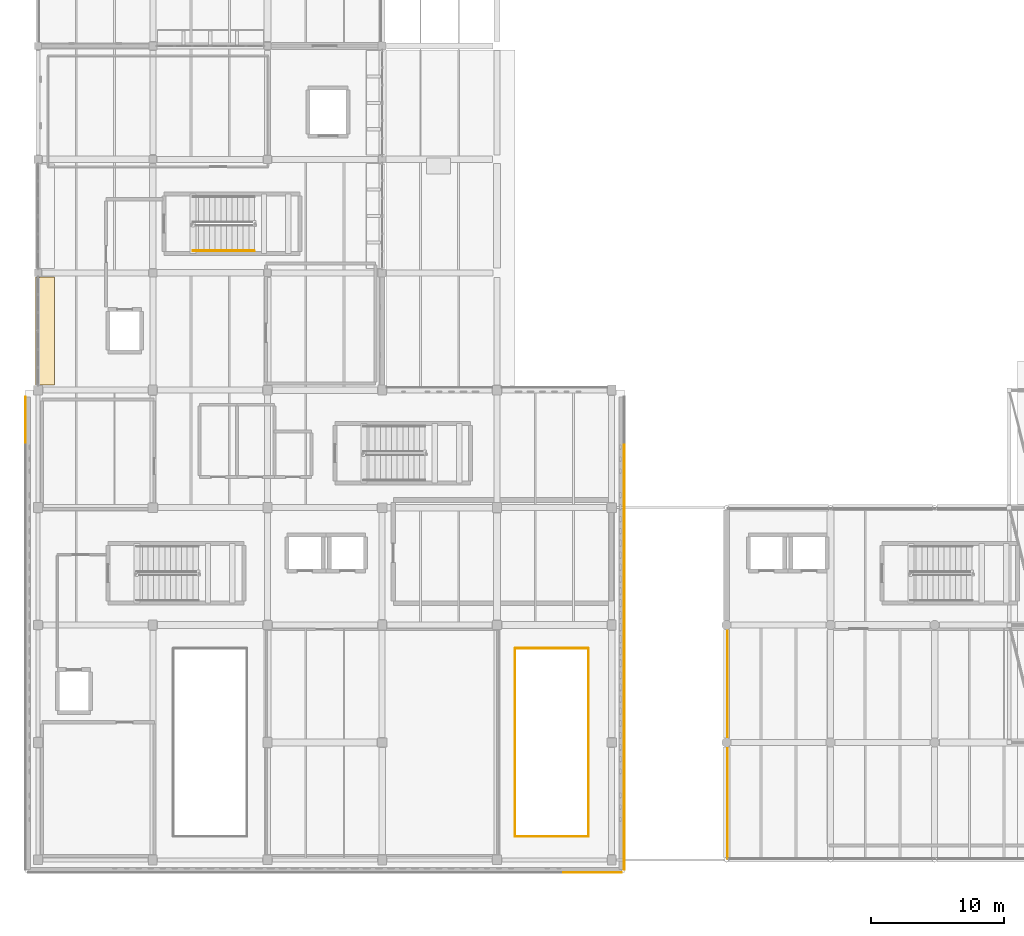
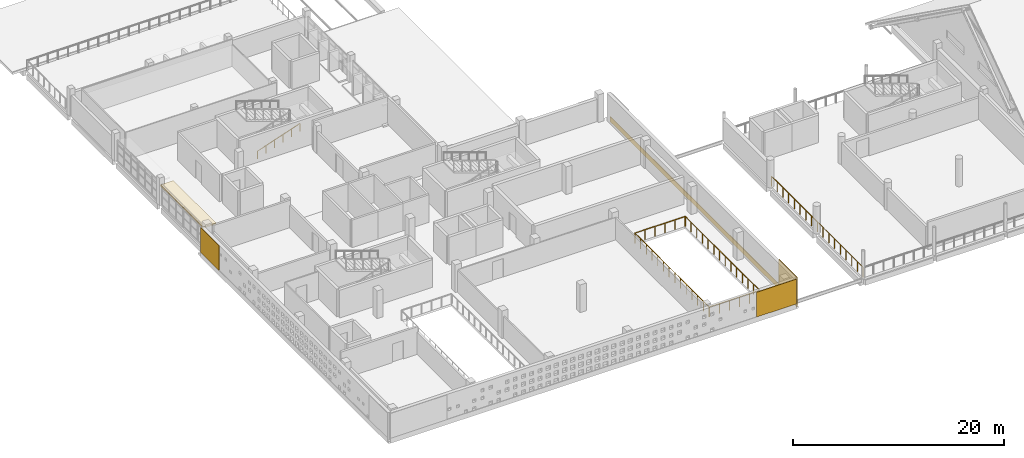
# One storey, part 49 of 55: 6 railings, 5 coverings.
"""IFC4 building model written with IfcOpenShell, lengths in metres."""

from ifc_helpers import new_model, si_unit, direction, frame, origin, origin_2d, place, context, subcontext, project, spatial, polyline, rectangle, circle, outline, extrude, material, layer, layer_set, type_object, element, save


model = new_model("IFC4")

# Units and contexts
model_context = context("Model", 3, precision=1e-05, world=origin(), true_north=direction((0.0, 1.0)))
body_context = subcontext(model_context, "Body", "Model", "MODEL_VIEW")
ifc_project = project(units=[si_unit("LENGTHUNIT", "METRE"), si_unit("AREAUNIT", "SQUARE_METRE"), si_unit("VOLUMEUNIT", "CUBIC_METRE"), si_unit("PLANEANGLEUNIT", "RADIAN"), si_unit("MASSUNIT", "GRAM", prefix="KILO")], contexts=[model_context])

# Site, building, storey
site_placement = place(None, origin())
site = spatial("IfcSite", under=ifc_project, at=site_placement, CompositionType="ELEMENT")
building_placement = place(site_placement, origin())
building = spatial("IfcBuilding", under=site, at=building_placement, Name="Varnakota Cinema and Media Centre", CompositionType="ELEMENT")
storey_placement = place(building_placement, frame((0.0, 0.0, 15.60009765625)))
storey = spatial("IfcBuildingStorey", under=building, at=storey_placement, Name="L04", CompositionType="ELEMENT", Elevation=15.60009765625)

# Coverings
ifc_material_1 = material(Name="Precast concrete M40", Category="concrete")
ifc_layer_1 = layer(ifc_material_1, 0.159912109375)
ifc_layer_set_1 = layer_set([ifc_layer_1], Name="Precast concrete M40")
covering_type_1 = type_object("IfcCoveringType", Name="COV-CHAJJA-160", PredefinedType="CLADDING", material=ifc_layer_set_1)
covering_1_placement = place(storey_placement, frame((0.0, 0.0, 2.27490234375)))
element("IfcCovering", 1, at=covering_1_placement, inside=storey, type_object=covering_type_1, Name="L04 Brutalist chajja overhang V5-W-3", PredefinedType="CLADDING", context=body_context, shape_type="SweptSolid", body=[
    extrude(outline(polyline([(-0.179931640625, 43.68505859375), (-0.179931640625, 35.590087890625), (1.219970703125, 35.590087890625), (1.219970703125, 43.68505859375), (-0.179931640625, 43.68505859375)])), origin(), (0.0, 0.0, 1.0), 0.159912109375),
])
ifc_material_2 = material(Name="Pale Tandur limestone cladding", Category="masonry")
ifc_layer_2 = layer(ifc_material_2, 0.06005859375)
ifc_layer_set_2 = layer_set([ifc_layer_2], Name="Pale Tandur limestone cladding")
covering_type_2 = type_object("IfcCoveringType", Name="COV-TANDUR-ASHLAR-60", PredefinedType="CLADDING", material=ifc_layer_set_2)
covering_2_placement = place(storey_placement, frame((41.554931640625, -0.945068359375, 0.329833984375), z_axis=(0.0, 0.0, 1.0), x_axis=(-1.0, 0.0, 0.0)))
element("IfcCovering", 2, at=covering_2_placement, inside=storey, type_object=covering_type_2, Name="L04 V4 pale Tandur stone left corner ashlar V4-S", PredefinedType="CLADDING", context=body_context, shape_type="SweptSolid", body=[
    extrude(rectangle(XDim=4.3701171875, YDim=0.06005859375, at=origin_2d()), origin(), (0.0, 0.0, 1.0), 2.8701171875),
])
covering_3_placement = place(storey_placement, frame((-0.945068359375, 32.97509765625, 0.329833984375), z_axis=(0.0, 0.0, 1.0), x_axis=(0.0, 1.0, 0.0)))
element("IfcCovering", 3, at=covering_3_placement, inside=storey, type_object=covering_type_2, Name="L04 V4 pale Tandur stone right corner ashlar V4-W", PredefinedType="CLADDING", context=body_context, shape_type="SweptSolid", body=[
    extrude(rectangle(XDim=3.449951171875, YDim=0.06005859375, at=origin_2d()), origin(), (0.0, 0.0, 1.0), 2.8701171875),
])
covering_4_placement = place(storey_placement, frame((43.945068359375, 16.97998046875, -0.250244140625), z_axis=(0.0, 0.0, 1.0), x_axis=(0.0, -1.0, 0.0)))
element("IfcCovering", 4, at=covering_4_placement, inside=storey, type_object=covering_type_2, Name="L04 V4 pale Tandur stone spandrel ashlar V4-E", PredefinedType="CLADDING", context=body_context, shape_type="SweptSolid", body=[
    extrude(rectangle(XDim=35.43994140625, YDim=0.06005859375, at=origin_2d()), origin(), (0.0, 0.0, 1.0), 0.580078125),
])
covering_5_placement = place(storey_placement, frame((43.945068359375, 0.985107421875, 0.329833984375), z_axis=(0.0, 0.0, 1.0), x_axis=(0.0, -1.0, 0.0)))
element("IfcCovering", 5, at=covering_5_placement, inside=storey, type_object=covering_type_2, Name="L04 V4 pale Tandur stone right corner ashlar V4-E", PredefinedType="CLADDING", context=body_context, shape_type="SweptSolid", body=[
    extrude(rectangle(XDim=3.449951171875, YDim=0.06005859375, at=origin_2d()), origin(), (0.0, 0.0, 1.0), 2.8701171875),
])

# Railings
ifc_material_3 = material(Name="Anodised golden-bronze steel Grade 350 (E350)", Category="steel")
ifc_layer_3 = layer(ifc_material_3, 0.050048828125)
ifc_layer_set_3 = layer_set([ifc_layer_3], Name="Anodised golden-bronze steel Grade 350 (E350)")
railing_type_1 = type_object("IfcRailingType", Name="RAIL-GUARD-1150", PredefinedType="BALUSTRADE", material=ifc_layer_set_3)
railing_1_placement = place(storey_placement, frame((51.679931640625, 0.110107421875, 0.0)))
element("IfcRailing", 6, at=railing_1_placement, inside=storey, type_object=railing_type_1, Name="L04 guard balustrade GRD-V6GAL-W-L04-1", PredefinedType="BALUSTRADE", context=body_context, shape_type="SweptSolid", body=[
    extrude(circle(Radius=0.02392578125, at=origin_2d()), frame((0.0, 0.0, 1.1259765625), z_axis=(0.0, 1.0, 0.0), x_axis=(-1.0, 0.0, 0.0)), (0.0, 0.0, 1.0), 17.409912109375),
    extrude(circle(Radius=0.02099609375, at=origin_2d()), origin(), (0.0, 0.0, 1.0), 1.101806640625),
    extrude(circle(Radius=0.02099609375, at=origin_2d()), frame((0.0, 1.088134765625, 0.0)), (0.0, 0.0, 1.0), 1.101806640625),
    extrude(circle(Radius=0.02099609375, at=origin_2d()), frame((0.0, 2.17626953125, 0.0)), (0.0, 0.0, 1.0), 1.101806640625),
    extrude(circle(Radius=0.02099609375, at=origin_2d()), frame((0.0, 3.264404296875, 0.0)), (0.0, 0.0, 1.0), 1.101806640625),
    extrude(circle(Radius=0.02099609375, at=origin_2d()), frame((0.0, 4.3525390625, 0.0)), (0.0, 0.0, 1.0), 1.101806640625),
    extrude(circle(Radius=0.02099609375, at=origin_2d()), frame((0.0, 5.440673828125, 0.0)), (0.0, 0.0, 1.0), 1.101806640625),
    extrude(circle(Radius=0.02099609375, at=origin_2d()), frame((0.0, 6.52880859375, 0.0)), (0.0, 0.0, 1.0), 1.101806640625),
    extrude(circle(Radius=0.02099609375, at=origin_2d()), frame((0.0, 7.616943359375, 0.0)), (0.0, 0.0, 1.0), 1.101806640625),
    extrude(circle(Radius=0.02099609375, at=origin_2d()), frame((0.0, 8.705078125, 0.0)), (0.0, 0.0, 1.0), 1.101806640625),
    extrude(circle(Radius=0.02099609375, at=origin_2d()), frame((0.0, 9.79296875, 0.0)), (0.0, 0.0, 1.0), 1.101806640625),
    extrude(circle(Radius=0.02099609375, at=origin_2d()), frame((0.0, 10.881103515625, 0.0)), (0.0, 0.0, 1.0), 1.101806640625),
    extrude(circle(Radius=0.02099609375, at=origin_2d()), frame((0.0, 11.96923828125, 0.0)), (0.0, 0.0, 1.0), 1.101806640625),
    extrude(circle(Radius=0.02099609375, at=origin_2d()), frame((0.0, 13.057373046875, 0.0)), (0.0, 0.0, 1.0), 1.101806640625),
    extrude(circle(Radius=0.02099609375, at=origin_2d()), frame((0.0, 14.1455078125, 0.0)), (0.0, 0.0, 1.0), 1.101806640625),
    extrude(circle(Radius=0.02099609375, at=origin_2d()), frame((0.0, 15.233642578125, 0.0)), (0.0, 0.0, 1.0), 1.101806640625),
    extrude(circle(Radius=0.02099609375, at=origin_2d()), frame((0.0, 16.32177734375, 0.0)), (0.0, 0.0, 1.0), 1.101806640625),
    extrude(circle(Radius=0.02099609375, at=origin_2d()), frame((0.0, 17.409912109375, 0.0)), (0.0, 0.0, 1.0), 1.101806640625),
])
railing_2_placement = place(storey_placement, frame((35.77001953125, 1.739990234375, 0.0)))
element("IfcRailing", 7, at=railing_2_placement, inside=storey, type_object=railing_type_1, Name="L04 guard balustrade GRD-VOID-L04-2-1", PredefinedType="BALUSTRADE", context=body_context, shape_type="SweptSolid", body=[
    extrude(circle(Radius=0.02392578125, at=origin_2d()), frame((0.0, 0.0, 1.1259765625), z_axis=(1.0, 0.0, 0.0), x_axis=(0.0, 1.0, 0.0)), (0.0, 0.0, 1.0), 5.4599609375),
    extrude(circle(Radius=0.02099609375, at=origin_2d()), origin(), (0.0, 0.0, 1.0), 1.101806640625),
    extrude(circle(Radius=0.02099609375, at=origin_2d()), frame((1.092041015625, 0.0, 0.0)), (0.0, 0.0, 1.0), 1.101806640625),
    extrude(circle(Radius=0.02099609375, at=origin_2d()), frame((2.18408203125, 0.0, 0.0)), (0.0, 0.0, 1.0), 1.101806640625),
    extrude(circle(Radius=0.02099609375, at=origin_2d()), frame((3.27587890625, 0.0, 0.0)), (0.0, 0.0, 1.0), 1.101806640625),
    extrude(circle(Radius=0.02099609375, at=origin_2d()), frame((4.367919921875, 0.0, 0.0)), (0.0, 0.0, 1.0), 1.101806640625),
    extrude(circle(Radius=0.02099609375, at=origin_2d()), frame((5.4599609375, 0.0, 0.0)), (0.0, 0.0, 1.0), 1.101806640625),
])
railing_3_placement = place(storey_placement, frame((41.260009765625, 1.77001953125, 0.0)))
element("IfcRailing", 8, at=railing_3_placement, inside=storey, type_object=railing_type_1, Name="L04 guard balustrade GRD-VOID-L04-2-2", PredefinedType="BALUSTRADE", context=body_context, shape_type="SweptSolid", body=[
    extrude(circle(Radius=0.02392578125, at=origin_2d()), frame((0.0, 0.0, 1.1259765625), z_axis=(0.0, 1.0, 0.0), x_axis=(-1.0, 0.0, 0.0)), (0.0, 0.0, 1.0), 14.06005859375),
    extrude(circle(Radius=0.02099609375, at=origin_2d()), origin(), (0.0, 0.0, 1.0), 1.101806640625),
    extrude(circle(Radius=0.02099609375, at=origin_2d()), frame((0.0, 1.08154296875, 0.0)), (0.0, 0.0, 1.0), 1.101806640625),
    extrude(circle(Radius=0.02099609375, at=origin_2d()), frame((0.0, 2.1630859375, 0.0)), (0.0, 0.0, 1.0), 1.101806640625),
    extrude(circle(Radius=0.02099609375, at=origin_2d()), frame((0.0, 3.24462890625, 0.0)), (0.0, 0.0, 1.0), 1.101806640625),
    extrude(circle(Radius=0.02099609375, at=origin_2d()), frame((0.0, 4.326171875, 0.0)), (0.0, 0.0, 1.0), 1.101806640625),
    extrude(circle(Radius=0.02099609375, at=origin_2d()), frame((0.0, 5.40771484375, 0.0)), (0.0, 0.0, 1.0), 1.101806640625),
    extrude(circle(Radius=0.02099609375, at=origin_2d()), frame((0.0, 6.4892578125, 0.0)), (0.0, 0.0, 1.0), 1.101806640625),
    extrude(circle(Radius=0.02099609375, at=origin_2d()), frame((0.0, 7.57080078125, 0.0)), (0.0, 0.0, 1.0), 1.101806640625),
    extrude(circle(Radius=0.02099609375, at=origin_2d()), frame((0.0, 8.65234375, 0.0)), (0.0, 0.0, 1.0), 1.101806640625),
    extrude(circle(Radius=0.02099609375, at=origin_2d()), frame((0.0, 9.73388671875, 0.0)), (0.0, 0.0, 1.0), 1.101806640625),
    extrude(circle(Radius=0.02099609375, at=origin_2d()), frame((0.0, 10.8154296875, 0.0)), (0.0, 0.0, 1.0), 1.101806640625),
    extrude(circle(Radius=0.02099609375, at=origin_2d()), frame((0.0, 11.89697265625, 0.0)), (0.0, 0.0, 1.0), 1.101806640625),
    extrude(circle(Radius=0.02099609375, at=origin_2d()), frame((0.0, 12.978515625, 0.0)), (0.0, 0.0, 1.0), 1.101806640625),
    extrude(circle(Radius=0.02099609375, at=origin_2d()), frame((0.0, 14.06005859375, 0.0)), (0.0, 0.0, 1.0), 1.101806640625),
])
railing_4_placement = place(storey_placement, frame((41.22998046875, 15.860107421875, 0.0)))
element("IfcRailing", 9, at=railing_4_placement, inside=storey, type_object=railing_type_1, Name="L04 guard balustrade GRD-VOID-L04-2-3", PredefinedType="BALUSTRADE", context=body_context, shape_type="SweptSolid", body=[
    extrude(circle(Radius=0.02392578125, at=origin_2d()), frame((0.0, 0.0, 1.1259765625), z_axis=(-1.0, 0.0, 0.0), x_axis=(0.0, -1.0, 0.0)), (0.0, 0.0, 1.0), 5.4599609375),
    extrude(circle(Radius=0.02099609375, at=origin_2d()), origin(), (0.0, 0.0, 1.0), 1.101806640625),
    extrude(circle(Radius=0.02099609375, at=origin_2d()), frame((-1.092041015625, 0.0, 0.0)), (0.0, 0.0, 1.0), 1.101806640625),
    extrude(circle(Radius=0.02099609375, at=origin_2d()), frame((-2.18408203125, 0.0, 0.0)), (0.0, 0.0, 1.0), 1.101806640625),
    extrude(circle(Radius=0.02099609375, at=origin_2d()), frame((-3.27587890625, 0.0, 0.0)), (0.0, 0.0, 1.0), 1.101806640625),
    extrude(circle(Radius=0.02099609375, at=origin_2d()), frame((-4.367919921875, 0.0, 0.0)), (0.0, 0.0, 1.0), 1.101806640625),
    extrude(circle(Radius=0.02099609375, at=origin_2d()), frame((-5.4599609375, 0.0, 0.0)), (0.0, 0.0, 1.0), 1.101806640625),
])
railing_5_placement = place(storey_placement, frame((35.739990234375, 15.830078125, 0.0)))
element("IfcRailing", 10, at=railing_5_placement, inside=storey, type_object=railing_type_1, Name="L04 guard balustrade GRD-VOID-L04-2-4", PredefinedType="BALUSTRADE", context=body_context, shape_type="SweptSolid", body=[
    extrude(circle(Radius=0.02392578125, at=origin_2d()), frame((0.0, 0.0, 1.1259765625), z_axis=(0.0, -1.0, 0.0), x_axis=(1.0, 0.0, 0.0)), (0.0, 0.0, 1.0), 14.06005859375),
    extrude(circle(Radius=0.02099609375, at=origin_2d()), origin(), (0.0, 0.0, 1.0), 1.101806640625),
    extrude(circle(Radius=0.02099609375, at=origin_2d()), frame((0.0, -1.08154296875, 0.0)), (0.0, 0.0, 1.0), 1.101806640625),
    extrude(circle(Radius=0.02099609375, at=origin_2d()), frame((0.0, -2.1630859375, 0.0)), (0.0, 0.0, 1.0), 1.101806640625),
    extrude(circle(Radius=0.02099609375, at=origin_2d()), frame((0.0, -3.24462890625, 0.0)), (0.0, 0.0, 1.0), 1.101806640625),
    extrude(circle(Radius=0.02099609375, at=origin_2d()), frame((0.0, -4.326171875, 0.0)), (0.0, 0.0, 1.0), 1.101806640625),
    extrude(circle(Radius=0.02099609375, at=origin_2d()), frame((0.0, -5.40771484375, 0.0)), (0.0, 0.0, 1.0), 1.101806640625),
    extrude(circle(Radius=0.02099609375, at=origin_2d()), frame((0.0, -6.4892578125, 0.0)), (0.0, 0.0, 1.0), 1.101806640625),
    extrude(circle(Radius=0.02099609375, at=origin_2d()), frame((0.0, -7.57080078125, 0.0)), (0.0, 0.0, 1.0), 1.101806640625),
    extrude(circle(Radius=0.02099609375, at=origin_2d()), frame((0.0, -8.65234375, 0.0)), (0.0, 0.0, 1.0), 1.101806640625),
    extrude(circle(Radius=0.02099609375, at=origin_2d()), frame((0.0, -9.73388671875, 0.0)), (0.0, 0.0, 1.0), 1.101806640625),
    extrude(circle(Radius=0.02099609375, at=origin_2d()), frame((0.0, -10.8154296875, 0.0)), (0.0, 0.0, 1.0), 1.101806640625),
    extrude(circle(Radius=0.02099609375, at=origin_2d()), frame((0.0, -11.89697265625, 0.0)), (0.0, 0.0, 1.0), 1.101806640625),
    extrude(circle(Radius=0.02099609375, at=origin_2d()), frame((0.0, -12.978515625, 0.0)), (0.0, 0.0, 1.0), 1.101806640625),
    extrude(circle(Radius=0.02099609375, at=origin_2d()), frame((0.0, -14.06005859375, 0.0)), (0.0, 0.0, 1.0), 1.101806640625),
])
ifc_material_4 = material(Name="Structural steel Grade 350 (E350)", Category="steel")
ifc_layer_4 = layer(ifc_material_4, 0.048095703125)
ifc_layer_set_4 = layer_set([ifc_layer_4], Name="Structural steel Grade 350 (E350)")
railing_type_2 = type_object("IfcRailingType", Name="RAIL-STAIR-HAND-900", PredefinedType="HANDRAIL", material=ifc_layer_set_4)
railing_6_placement = place(storey_placement, frame((11.60009765625, 45.64990234375, 0.1435546875)))
element("IfcRailing", 11, at=railing_6_placement, inside=storey, type_object=railing_type_2, Name="L04 ST-03 stair handrail 1", PredefinedType="HANDRAIL", context=body_context, shape_type="SweptSolid", body=[
    extrude(circle(Radius=0.02392578125, at=origin_2d()), frame((0.0, 0.0, 0.8759765625), z_axis=(0.946112797211, 0.0, 0.323837266159), x_axis=(0.0, 1.0, 0.0)), (0.0, 0.0, 1.0), 4.883056640625),
    extrude(circle(Radius=0.02099609375, at=origin_2d()), origin(), (0.0, 0.0, 1.0), 0.851806640625),
    extrude(circle(Radius=0.02099609375, at=origin_2d()), frame((0.924072265625, 0.0, 0.316162109375)), (0.0, 0.0, 1.0), 0.851806640625),
    extrude(circle(Radius=0.02099609375, at=origin_2d()), frame((1.847900390625, 0.0, 0.632568359375)), (0.0, 0.0, 1.0), 0.851806640625),
    extrude(circle(Radius=0.02099609375, at=origin_2d()), frame((2.77197265625, 0.0, 0.94873046875)), (0.0, 0.0, 1.0), 0.851806640625),
    extrude(circle(Radius=0.02099609375, at=origin_2d()), frame((3.69580078125, 0.0, 1.26513671875)), (0.0, 0.0, 1.0), 0.851806640625),
    extrude(circle(Radius=0.02099609375, at=origin_2d()), frame((4.619873046875, 0.0, 1.581298828125)), (0.0, 0.0, 1.0), 0.851806640625),
])

save(model, "model.ifc")
